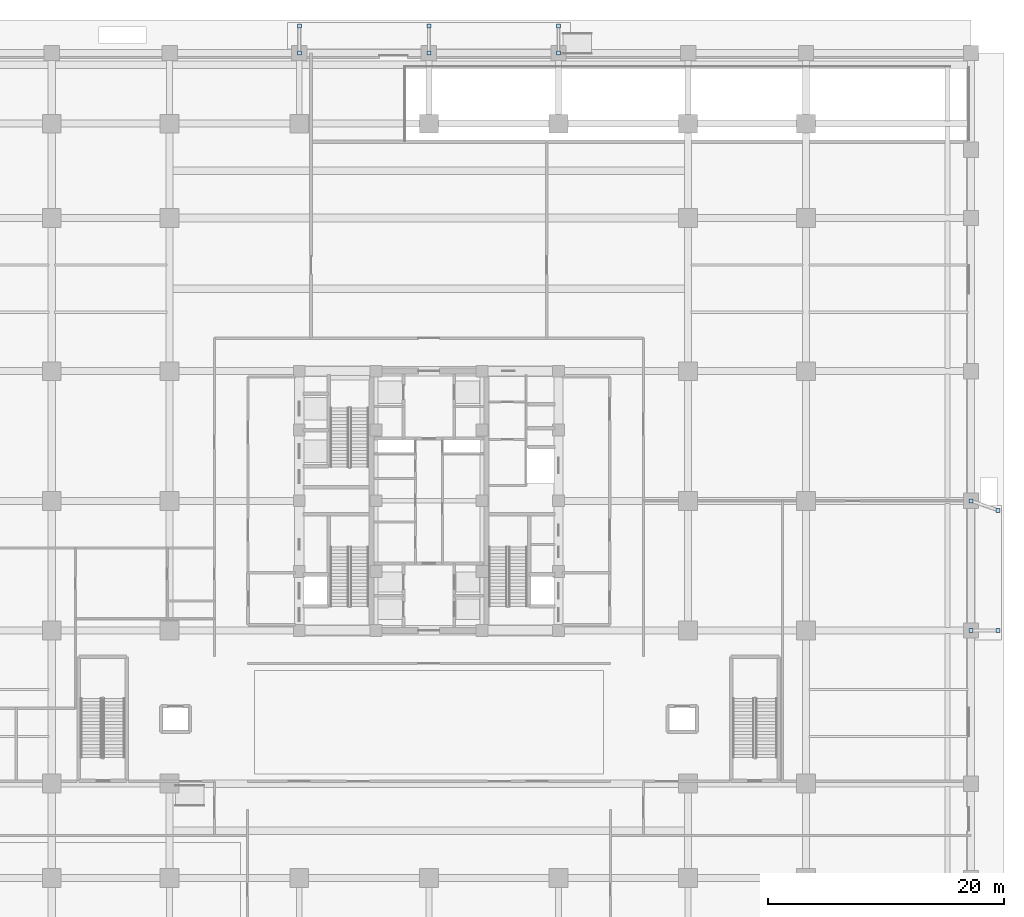
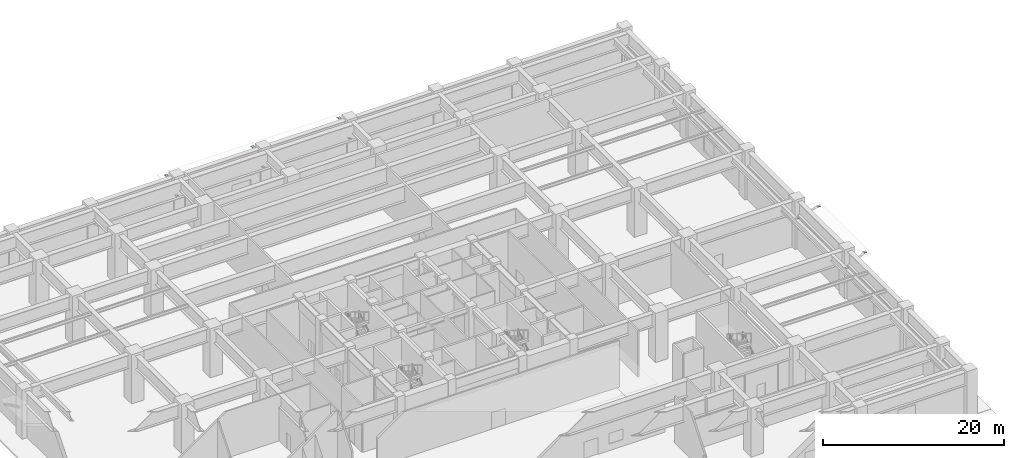
# One storey, part 5 of 21: 10 plates.
"""IFC4 building model written with IfcOpenShell, lengths in metres."""

import ifcopenshell
import ifcopenshell.guid

model = None  # the IFC model being written
_history = None  # IfcOwnerHistory: only IFC2X3 demands one
_inside = {}  # id of a spatial element -> (the spatial element, [elements in it])
_under = {}  # id of a project, library or spatial element -> (it, [spatial elements below it])
_declared = {}  # id of a project -> (the project, [libraries it declares])
_typed = {}  # id of a type object -> (the type object, [elements of that type])
_made_of = {}  # id of a material, layer set ... -> (it, [elements and type objects made of it])


def new_model(schema):
    """Start an empty IFC model of exactly this schema.

    Asked for "IFC4X3", IfcOpenShell would pick the latest addendum, in which some entities
    have other attributes; the version numbers below select the first issue.
    IFC2X3 requires an IfcOwnerHistory on every rooted entity: one is made here for all.
    """
    global model, _history
    if schema == "IFC4X3":
        model = ifcopenshell.file(schema_version=(4, 3, 0, 0))
    else:
        model = ifcopenshell.file(schema=schema)
    _inside.clear()
    _under.clear()
    _declared.clear()
    _typed.clear()
    _made_of.clear()
    _history = None
    if model.schema == "IFC2X3":
        org = make("IfcOrganization", Name="unknown")
        user = make(
            "IfcPersonAndOrganization",
            ThePerson=make("IfcPerson", FamilyName="unknown"),
            TheOrganization=org,
        )
        app = make(
            "IfcApplication",
            ApplicationDeveloper=org,
            Version="unknown",
            ApplicationFullName="unknown",
            ApplicationIdentifier="unknown",
        )
        _history = make(
            "IfcOwnerHistory",
            OwningUser=user,
            OwningApplication=app,
            ChangeAction="ADDED",
            CreationDate=0,
        )
    return model


def make(cls, **values):
    """One entity of the class cls with the attributes given. An attribute that is None is left unset."""
    return model.create_entity(
        cls, **{name: value for name, value in values.items() if value is not None}
    )


def rooted(cls, **values):
    """An entity with a GlobalId (a new one), such as an element, a storey or a relation."""
    return make(cls, GlobalId=ifcopenshell.guid.new(), OwnerHistory=_history, **values)


def si_unit(unit_type, name, prefix=None):
    """IfcSIUnit, for example si_unit("LENGTHUNIT", "METRE", prefix="MILLI")."""
    return make("IfcSIUnit", UnitType=unit_type, Prefix=prefix, Name=name)


def assignment(units):
    """IfcUnitAssignment: the units of a project."""
    return None if units is None else make("IfcUnitAssignment", Units=units)


def point(xyz):
    """IfcCartesianPoint."""
    return None if xyz is None else make("IfcCartesianPoint", Coordinates=xyz)


def direction(xyz):
    """IfcDirection."""
    return None if xyz is None else make("IfcDirection", DirectionRatios=xyz)


def frame(location, z_axis=None, x_axis=None):
    """IfcAxis2Placement3D, a coordinate frame: its origin and axes. An axis left out is left unset."""
    return make(
        "IfcAxis2Placement3D",
        Location=point(location),
        Axis=direction(z_axis),
        RefDirection=direction(x_axis),
    )


def frame_2d(location, x_axis=None):
    """IfcAxis2Placement2D, a coordinate frame in the plane: its origin and x axis."""
    return make(
        "IfcAxis2Placement2D", Location=point(location), RefDirection=direction(x_axis)
    )


def origin():
    """The frame at (0, 0, 0) with its axes left unset."""
    return frame((0.0, 0.0, 0.0))


def origin_2d():
    """The frame at (0, 0) in the plane with its x axis left unset."""
    return frame_2d((0.0, 0.0))


def place(relative_to, where):
    """IfcLocalPlacement: puts the frame where relative to a parent placement (None: the world)."""
    return make(
        "IfcLocalPlacement", PlacementRelTo=relative_to, RelativePlacement=where
    )


def context(
    kind, dimensions, precision=None, world=None, true_north=None, identifier=None
):
    """IfcGeometricRepresentationContext, for example the 3D "Model" context."""
    return make(
        "IfcGeometricRepresentationContext",
        ContextIdentifier=identifier,
        ContextType=kind,
        CoordinateSpaceDimension=dimensions,
        Precision=precision,
        WorldCoordinateSystem=world,
        TrueNorth=true_north,
    )


def subcontext(parent, identifier, kind, view, scale=None):
    """IfcGeometricRepresentationSubContext, for example "Body" below "Model"."""
    return make(
        "IfcGeometricRepresentationSubContext",
        ContextIdentifier=identifier,
        ContextType=kind,
        ParentContext=parent,
        TargetScale=scale,
        TargetView=view,
    )


def project(units=None, contexts=None):
    """IfcProject with its units and contexts."""
    return rooted(
        "IfcProject",
        Name="project",
        RepresentationContexts=contexts,
        UnitsInContext=assignment(units),
    )


def spatial(cls, under=None, at=None, **own):
    """A site, building, storey or space (cls), placed at a placement, below another one or the project."""
    s = rooted(cls, ObjectPlacement=at, **own)
    if under is not None:
        _under.setdefault(under.id(), (under, []))[1].append(s)
    return s


def profile(cls, at=None, kind="AREA", **sizes):
    """A parametric profile (cls). Its sizes go by their IFC names, for example OverallWidth=200.0."""
    return make(cls, ProfileType=kind, Position=at, **sizes)


def rectangle(**sizes):
    """IfcRectangleProfileDef."""
    return profile("IfcRectangleProfileDef", **sizes)


def extrude(swept, where, along, depth):
    """IfcExtrudedAreaSolid: the profile swept, set in the frame where, extruded along a direction by depth."""
    return make(
        "IfcExtrudedAreaSolid",
        SweptArea=swept,
        Position=where,
        ExtrudedDirection=direction(along),
        Depth=depth,
    )


def shape(context_of_items, identifier, shape_type, items):
    """IfcShapeRepresentation: the items that make up one representation, for example the "Body"."""
    return make(
        "IfcShapeRepresentation",
        ContextOfItems=context_of_items,
        RepresentationIdentifier=identifier,
        RepresentationType=shape_type,
        Items=items,
    )


def source(mapping_origin, context_of_items, identifier, shape_type, items):
    """IfcRepresentationMap: a shape defined once, which mapped items show again and again."""
    return make(
        "IfcRepresentationMap",
        MappingOrigin=mapping_origin,
        MappedRepresentation=shape(context_of_items, identifier, shape_type, items),
    )


def transform(
    local_origin,
    x_axis=None,
    y_axis=None,
    z_axis=None,
    scale=None,
    scale2=None,
    scale3=None,
    uniform=True,
):
    """IfcCartesianTransformationOperator3D, or its non-uniform kind. x_axis, y_axis, z_axis: its Axis1, 2, 3."""
    if uniform:
        return make(
            "IfcCartesianTransformationOperator3D",
            Axis1=direction(x_axis),
            Axis2=direction(y_axis),
            LocalOrigin=point(local_origin),
            Scale=scale,
            Axis3=direction(z_axis),
        )
    return make(
        "IfcCartesianTransformationOperator3DnonUniform",
        Axis1=direction(x_axis),
        Axis2=direction(y_axis),
        LocalOrigin=point(local_origin),
        Scale=scale,
        Axis3=direction(z_axis),
        Scale2=scale2,
        Scale3=scale3,
    )


def mapped(mapping_source, mapping_target):
    """IfcMappedItem: shows the shape of a source again, moved by a transform."""
    return make(
        "IfcMappedItem", MappingSource=mapping_source, MappingTarget=mapping_target
    )


def material(Name=None, Category=None):
    """IfcMaterial."""
    return make("IfcMaterial", Name=Name, Category=Category)


def layer(
    of_material, thickness, ventilated=None, Name=None, Category=None, Priority=None
):
    """IfcMaterialLayer: one layer of a wall or slab, of a material (None: an air gap)."""
    return make(
        "IfcMaterialLayer",
        Material=of_material,
        LayerThickness=thickness,
        IsVentilated=ventilated,
        Name=Name,
        Category=Category,
        Priority=Priority,
    )


def layer_set(layers, Name=None):
    """IfcMaterialLayerSet."""
    return make("IfcMaterialLayerSet", MaterialLayers=layers, LayerSetName=Name)


def made_of(thing, what):
    """Note that an element or type object is made of a material, layer set ...; save() writes the relation."""
    if what is not None:
        _made_of.setdefault(what.id(), (what, []))[1].append(thing)
    return thing


def type_object(cls, material=None, **own):
    """A type object (cls), such as IfcWallType, which elements share."""
    return made_of(rooted(cls, **own), material)


def element(
    cls,
    number,
    at=None,
    inside=None,
    cuts=None,
    type_object=None,
    material=None,
    context=None,
    identifier="Body",
    shape_type=None,
    held_by="IfcProductDefinitionShape",
    body=None,
    shapes=None,
    **own,
):
    """One element of the class cls, such as IfcWall. Its Tag is "e" and its number.

    at: its placement. inside: the storey or other place that contains it. cuts: it is an
    opening in that element (IfcRelVoidsElement). A single representation is given by context,
    identifier, shape_type and body (its items); several are given by shapes. held_by: the class
    of the entity that holds the representations. save() writes the other relations.
    """
    e = rooted(cls, Tag="e%d" % number, ObjectPlacement=at, **own)
    if body is not None:
        shapes = [shape(context, identifier, shape_type, body)]
    if shapes is not None:
        e.Representation = make(held_by, Representations=shapes)
    if inside is not None:
        _inside.setdefault(inside.id(), (inside, []))[1].append(e)
    if cuts is not None:
        rooted(
            "IfcRelVoidsElement", RelatingBuildingElement=cuts, RelatedOpeningElement=e
        )
    if type_object is not None:
        _typed.setdefault(type_object.id(), (type_object, []))[1].append(e)
    return made_of(e, material)


def aggregate(whole, parts):
    """IfcRelAggregates: a whole, such as a stair, and the parts it consists of."""
    return rooted("IfcRelAggregates", RelatingObject=whole, RelatedObjects=parts)


def save(model, path):
    """Write the relations noted so far, then the file.

    IfcRelAggregates (storeys below a building ...), IfcRelContainedInSpatialStructure (elements
    in a storey), IfcRelDefinesByType, IfcRelAssociatesMaterial and IfcRelDeclares: one each for
    every whole, place, type object, material and project.
    """
    for whole, parts in _under.values():
        aggregate(whole, parts)
    for where, things in _inside.values():
        rooted(
            "IfcRelContainedInSpatialStructure",
            RelatedElements=things,
            RelatingStructure=where,
        )
    for kind, things in _typed.values():
        rooted("IfcRelDefinesByType", RelatedObjects=things, RelatingType=kind)
    for what, things in _made_of.values():
        rooted("IfcRelAssociatesMaterial", RelatedObjects=things, RelatingMaterial=what)
    for by, libraries in _declared.values():
        rooted("IfcRelDeclares", RelatingContext=by, RelatedDefinitions=libraries)
    model.write(path)


model = new_model("IFC4")

# Units and contexts
model_context = context("Model", 3, precision=1e-05, world=origin(), true_north=direction((0.0, 1.0)))
body_context = subcontext(model_context, "Body", "Model", "MODEL_VIEW")
ifc_project = project(units=[si_unit("LENGTHUNIT", "METRE"), si_unit("AREAUNIT", "SQUARE_METRE"), si_unit("VOLUMEUNIT", "CUBIC_METRE"), si_unit("PLANEANGLEUNIT", "RADIAN"), si_unit("MASSUNIT", "GRAM", prefix="KILO")], contexts=[model_context])

# Site, building, storey
site_placement = place(None, origin())
site = spatial("IfcSite", under=ifc_project, at=site_placement, CompositionType="ELEMENT")
building_placement = place(site_placement, origin())
building = spatial("IfcBuilding", under=site, at=building_placement, Name="Khorayat Bourse Tower", CompositionType="ELEMENT")
storey_placement = place(building_placement, origin())
storey = spatial("IfcBuildingStorey", under=building, at=storey_placement, Name="L00", CompositionType="ELEMENT", Elevation=0.0)

# Plates
ifc_material = material(Name="Steel EN 10025-2 S355J2", Category="steel")
ifc_layer = layer(ifc_material, 0.02490234375)
ifc_layer_set = layer_set([ifc_layer], Name="Steel EN 10025-2 S355J2")
plate_type = type_object("IfcPlateType", Name="PLT-ENDCAP-25", PredefinedType="SHEET", material=ifc_layer_set)
shared_shape = source(origin(), body_context, "Body", "SweptSolid", [
    extrude(rectangle(XDim=0.340087890625, YDim=0.340087890625, at=origin_2d()), origin(), (0.0, 0.0, 1.0), 0.02490234375),
])
for number, where, z_axis, x_axis, name in (
    (1, (-11.0, 38.0, 3.587646484375), (0.0, 0.0, 1.0), (1.0, 0.0, 0.0), "L00 Canopy Strut End Plate N-DROP-1A"),
    (2, (-11.0, 40.300048828125, 4.907470703125), (0.0, 0.0, 1.0), (1.0, 0.0, 0.0), "L00 Canopy Strut End Plate N-DROP-1B"),
    (3, (0.0, 38.0, 3.587646484375), (0.0, 0.0, 1.0), (1.0, 0.0, 0.0), "L00 Canopy Strut End Plate N-DROP-2A"),
    (4, (0.0, 40.300048828125, 4.907470703125), (0.0, 0.0, 1.0), (1.0, 0.0, 0.0), "L00 Canopy Strut End Plate N-DROP-2B"),
    (5, (11.0, 38.0, 3.587646484375), (0.0, 0.0, 1.0), (1.0, 0.0, 0.0), "L00 Canopy Strut End Plate N-DROP-3A"),
    (6, (11.0, 40.300048828125, 4.907470703125), (0.0, 0.0, 1.0), (1.0, 0.0, 0.0), "L00 Canopy Strut End Plate N-DROP-3B"),
    (7, (46.0, -11.0, 3.587646484375), (0.0, 0.0, 1.0), (1.0, 0.0, 0.0), "L00 Canopy Strut End Plate E-DOCK-1A"),
    (8, (48.300048828125, -11.0, 4.907470703125), (0.0, 0.0, 1.0), (1.0, 0.0, 0.0), "L00 Canopy Strut End Plate E-DOCK-1B"),
    (9, (46.0, 0.0, 3.587646484375), (0.0, 0.0, 1.0), (1.0, 0.0, 0.0), "L00 Canopy Strut End Plate E-DOCK-2A"),
    (10, (48.300048828125, -0.800048828125, 4.907470703125), (0.0, 0.0, 1.0), (1.0, 0.0, 0.0), "L00 Canopy Strut End Plate E-DOCK-2B"),
):
    element("IfcPlate", number, at=place(storey_placement, frame(where, z_axis=z_axis, x_axis=x_axis)), inside=storey, type_object=plate_type, Name=name, PredefinedType="SHEET", context=body_context, shape_type="MappedRepresentation", body=[
        mapped(shared_shape, transform((0.0, 0.0, 0.0), scale=1.0)),
    ])

save(model, "model.ifc")
